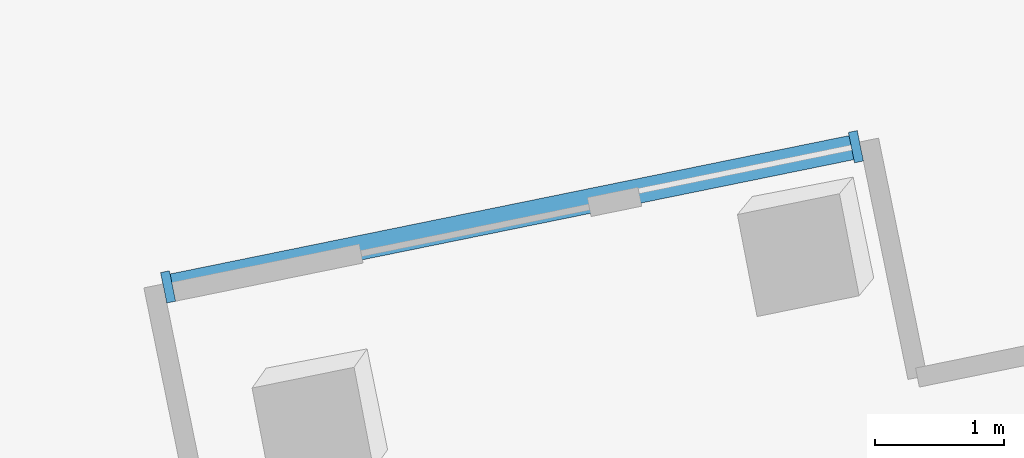
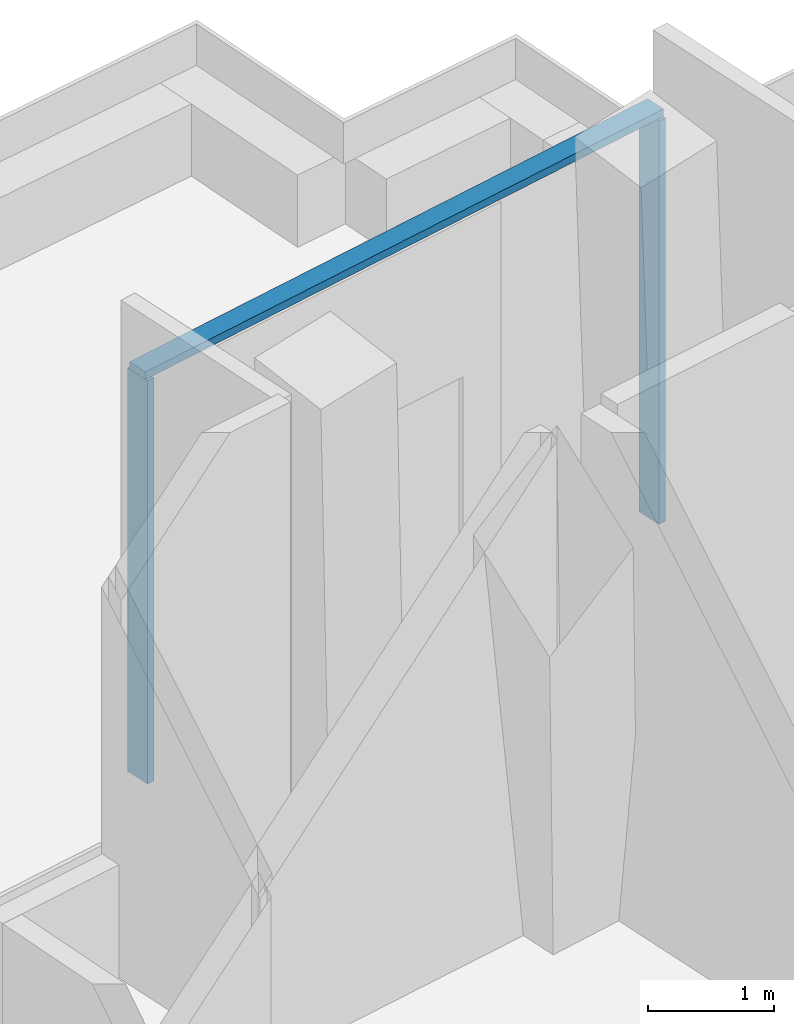
# One storey, part 7 of 20: 3 members, 1 element without a shape of its own.
"""IFC4 building model written with IfcOpenShell, lengths in metres."""

from ifc_helpers import new_model, si_unit, direction, frame, origin, origin_2d, place, context, subcontext, project, spatial, rectangle, extrude, material, layer, layer_set, material_profile, profile_set, type_object, element, aggregate, save


model = new_model("IFC4")

# Units and contexts
model_context = context("Model", 3, precision=1e-05, world=origin(), true_north=direction((0.0, 1.0)))
body_context = subcontext(model_context, "Body", "Model", "MODEL_VIEW")
ifc_project = project(units=[si_unit("LENGTHUNIT", "METRE"), si_unit("AREAUNIT", "SQUARE_METRE"), si_unit("VOLUMEUNIT", "CUBIC_METRE"), si_unit("PLANEANGLEUNIT", "RADIAN"), si_unit("MASSUNIT", "GRAM", prefix="KILO")], contexts=[model_context])

# Site, building, storey
site_placement = place(None, origin())
site = spatial("IfcSite", under=ifc_project, at=site_placement, CompositionType="ELEMENT")
building_placement = place(site_placement, origin())
building = spatial("IfcBuilding", under=site, at=building_placement, Name="Verdalira Terraces Hotel", CompositionType="ELEMENT")
storey_placement = place(building_placement, frame((0.0, 0.0, 81.0)))
storey = spatial("IfcBuildingStorey", under=building, at=storey_placement, Name="L18", CompositionType="ELEMENT", Elevation=81.0)

# Curtain wall, members
ifc_material_1 = material(Name="Clear glass", Category="glass")
ifc_layer = layer(ifc_material_1, 0.239990234375)
ifc_layer_set = layer_set([ifc_layer], Name="CW5 curtain wall")
curtain_wall_type = type_object("IfcCurtainWallType", Name="CW5 curtain wall", PredefinedType="NOTDEFINED", material=ifc_layer_set)
curtain_wall_placement = place(storey_placement, origin())
curtain_wall = element("IfcCurtainWall", 1, at=curtain_wall_placement, inside=storey, type_object=curtain_wall_type, Name="CW5 curtain wall L18 edge 5", PredefinedType="NOTDEFINED")
ifc_material_2 = material(Name="Terracotta frame", Category="masonry")
ifc_material_profile_1 = material_profile(ifc_material_2, rectangle(XDim=0.070068, YDim=0.23999, at=origin_2d()), Name="MU 70x240")
ifc_profile_set_1 = profile_set([ifc_material_profile_1], Name="Terracotta frame")
member_type_1 = type_object("IfcMemberType", Name="CW5 mullion 70x240", PredefinedType="MULLION", material=ifc_profile_set_1)
member_1_placement = place(storey_placement, frame((-4.473389, 35.542725, 0.0), z_axis=(0.0, 0.0, 1.0), x_axis=(-0.979855052, -0.199709981, 0.0)))
member_1 = element("IfcMember", 2, at=member_1_placement, type_object=member_type_1, Name="CW5 mullion", PredefinedType="MULLION", context=body_context, shape_type="SweptSolid", body=[
    extrude(rectangle(XDim=0.070068, YDim=0.23999, at=origin_2d()), origin(), (0.0, 0.0, 1.0), 3.915039),
])
member_2_placement = place(storey_placement, frame((-9.793945, 34.458252, 0.0), z_axis=(0.0, 0.0, 1.0), x_axis=(-0.979855052, -0.199709981, 0.0)))
member_2 = element("IfcMember", 3, at=member_2_placement, type_object=member_type_1, Name="CW5 mullion", PredefinedType="MULLION", context=body_context, shape_type="SweptSolid", body=[
    extrude(rectangle(XDim=0.070068, YDim=0.23999, at=origin_2d()), origin(), (0.0, 0.0, 1.0), 3.915039),
])
ifc_material_3 = material(Name="Terracotta frame", Category="masonry")
ifc_material_profile_2 = material_profile(ifc_material_3, rectangle(XDim=0.189941, YDim=0.074951, at=origin_2d()), Name="TR 75x190")
ifc_profile_set_2 = profile_set([ifc_material_profile_2], Name="Terracotta frame")
member_type_2 = type_object("IfcMemberType", Name="CW5 transom 75x190", PredefinedType="USERDEFINED", material=ifc_profile_set_2)
member_3_placement = place(storey_placement, frame((-4.438965, 35.549561, 3.952393), z_axis=(-0.97985532, -0.199708666, 0.0), x_axis=(0.199708666, -0.97985532, 0.0)))
member_3 = element("IfcMember", 4, at=member_3_placement, type_object=member_type_2, Name="CW5 transom", ObjectType="TRANSOM", PredefinedType="USERDEFINED", context=body_context, shape_type="SweptSolid", body=[
    extrude(rectangle(XDim=0.189941, YDim=0.074951, at=origin_2d()), origin(), (0.0, 0.0, 1.0), 5.5),
])
aggregate(curtain_wall, [member_1, member_2, member_3])

save(model, "model.ifc")
